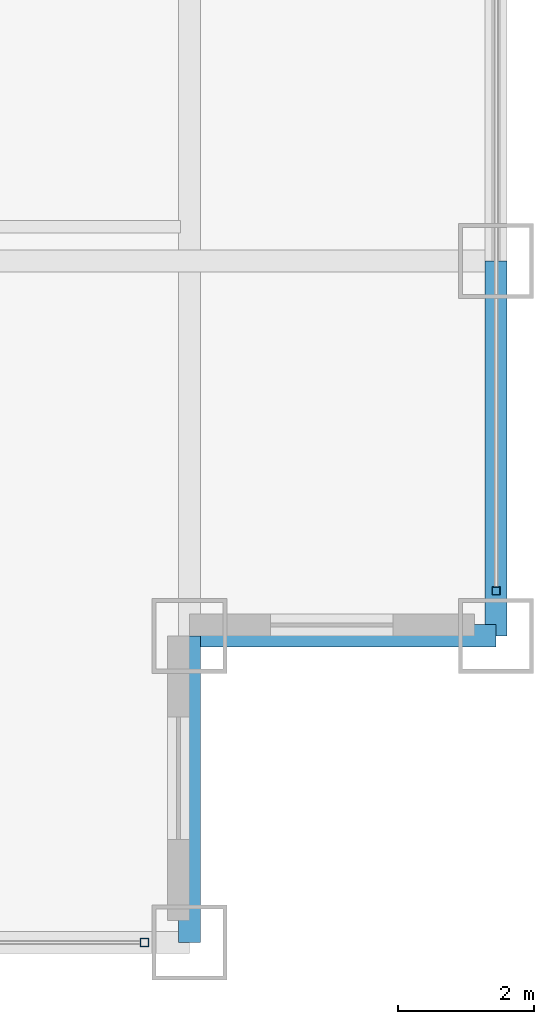
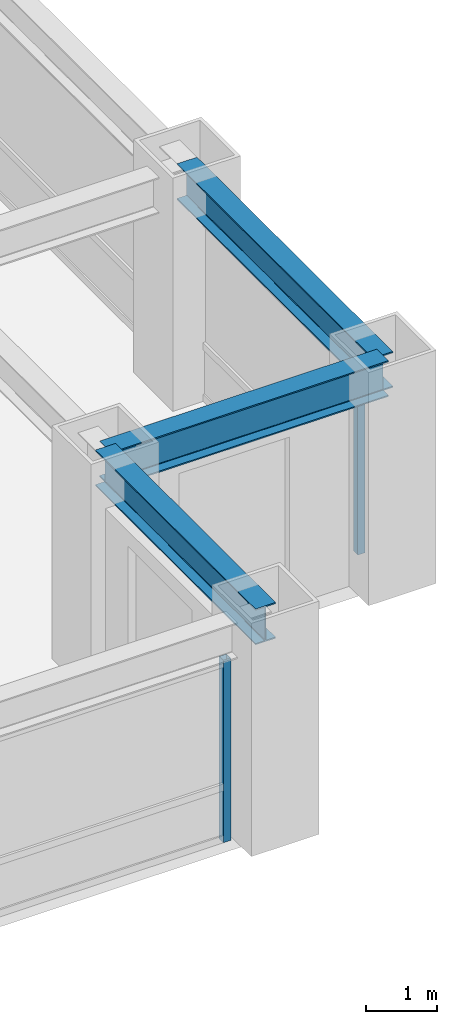
# One storey, part 8 of 24: 3 beams, 2 members, 2 elements without a shape of their own.
"""IFC4 building model written with IfcOpenShell, lengths in metres."""

from ifc_helpers import new_model, si_unit, direction, frame, origin, origin_2d, place, context, subcontext, project, spatial, hollow_rectangle, i_section, extrude, source, transform, mapped, material, material_profile, profile_set, type_object, element, aggregate, save


model = new_model("IFC4")

# Units and contexts
model_context = context("Model", 3, precision=1e-05, world=origin(), true_north=direction((0.0, 1.0)))
body_context = subcontext(model_context, "Body", "Model", "MODEL_VIEW")
ifc_project = project(units=[si_unit("LENGTHUNIT", "METRE"), si_unit("AREAUNIT", "SQUARE_METRE"), si_unit("VOLUMEUNIT", "CUBIC_METRE"), si_unit("PLANEANGLEUNIT", "RADIAN"), si_unit("MASSUNIT", "GRAM", prefix="KILO")], contexts=[model_context])

# Site, building, storey
site_placement = place(None, origin())
site = spatial("IfcSite", under=ifc_project, at=site_placement, CompositionType="ELEMENT")
building_placement = place(site_placement, origin())
building = spatial("IfcBuilding", under=site, at=building_placement, Name="Khorayat Bourse Tower", CompositionType="ELEMENT")
storey_placement = place(building_placement, frame((0.0, 0.0, 159.10009765625)))
storey = spatial("IfcBuildingStorey", under=building, at=storey_placement, Name="L36", CompositionType="ELEMENT", Elevation=159.10009765625)

# Beams
ifc_material_1 = material(Name="Steel ASTM A992 Grade 50", Category="steel")
ifc_material_profile_1 = material_profile(ifc_material_1, i_section(OverallWidth=0.324951171875, OverallDepth=0.615966796875, WebThickness=0.013916015625, FlangeThickness=0.021484375, FilletRadius=0.01611328125, at=origin_2d()), Name="W610X174")
ifc_profile_set_1 = profile_set([ifc_material_profile_1], Name="Steel ASTM A992 Grade 50")
beam_type = type_object("IfcBeamType", Name="BM-SPAN-610", PredefinedType="SPANDREL", material=ifc_profile_set_1)
shared_shape_1 = source(origin(), body_context, "Body", "SweptSolid", [
    extrude(i_section(OverallWidth=0.324951171875, OverallDepth=0.615966796875, WebThickness=0.013916015625, FlangeThickness=0.021484375, FilletRadius=0.01611328125, at=origin_2d()), origin(), (0.0, 0.0, 1.0), 5.5),
])
beam_placement = place(storey_placement, frame((30.0, -25.5, 3.471923828125), z_axis=(0.0, 1.0, 0.0), x_axis=(-1.0, 0.0, 0.0)))
element("IfcBeam", 1, at=beam_placement, inside=storey, type_object=beam_type, Name="L36 BM-SPAN-610 BM-L36-SPN-034", PredefinedType="SPANDREL", context=body_context, shape_type="MappedRepresentation", body=[
    mapped(shared_shape_1, transform((0.0, 0.0, 0.0), scale=1.0)),
])
shared_shape_2 = source(origin(), body_context, "Body", "SweptSolid", [
    extrude(i_section(OverallWidth=0.324951171875, OverallDepth=0.615966796875, WebThickness=0.013916015625, FlangeThickness=0.021484375, FilletRadius=0.01611328125, at=origin_2d()), origin(), (0.0, 0.0, 1.0), 4.5),
])
for number, where, z_axis, x_axis, name in (
    (2, (25.5, -30.0, 3.471923828125), (0.0, 1.0, 0.0), (-1.0, 0.0, 0.0), "L36 BM-SPAN-610 BM-L36-SPN-032"),
    (3, (25.5, -25.5, 3.471923828125), (1.0, 0.0, 0.0), (0.0, 1.0, 0.0), "L36 BM-SPAN-610 BM-L36-SPN-033"),
):
    element("IfcBeam", number, at=place(storey_placement, frame(where, z_axis=z_axis, x_axis=x_axis)), inside=storey, type_object=beam_type, Name=name, PredefinedType="SPANDREL", context=body_context, shape_type="MappedRepresentation", body=[
        mapped(shared_shape_2, transform((0.0, 0.0, 0.0), scale=1.0)),
    ])

# Curtain wall, member
ifc_material_2 = material(Name="Aluminium EN AW-6063 T6", Category="aluminium")
curtain_wall_type = type_object("IfcCurtainWallType", Name="CW-SYS-03", PredefinedType="NOTDEFINED", material=ifc_material_2)
curtain_wall_1_placement = place(storey_placement, origin())
curtain_wall_1 = element("IfcCurtainWall", 4, at=curtain_wall_1_placement, inside=storey, type_object=curtain_wall_type, Name="L36 Curtain Wall CW-L36-S1", PredefinedType="NOTDEFINED")
ifc_material_profile_2 = material_profile(ifc_material_2, hollow_rectangle(XDim=0.1201171875, YDim=0.1201171875, WallThickness=0.0048828125, at=origin_2d()), Name="ALU 120x120x5")
ifc_profile_set_2 = profile_set([ifc_material_profile_2], Name="Aluminium EN AW-6063 T6")
member_type = type_object("IfcMemberType", Name="CWM-VERT-120", PredefinedType="MULLION", material=ifc_profile_set_2)
shared_shape_3 = source(origin(), body_context, "Body", "SweptSolid", [
    extrude(hollow_rectangle(XDim=0.1201171875, YDim=0.1201171875, WallThickness=0.0048828125, at=origin_2d()), origin(), (0.0, 0.0, 1.0), 3.1298828125),
])
member_1_placement = place(storey_placement, frame((24.840087890625, -30.0, 0.0), z_axis=(0.0, 0.0, 1.0), x_axis=(0.0, 1.0, 0.0)))
member_1 = element("IfcMember", 5, at=member_1_placement, type_object=member_type, Name="CW-L36-S1 Vertical Mullion 3", PredefinedType="MULLION", context=body_context, shape_type="MappedRepresentation", body=[
    mapped(shared_shape_3, transform((0.0, 0.0, 0.0), scale=1.0)),
])
aggregate(curtain_wall_1, [member_1])

curtain_wall_2_placement = place(storey_placement, origin())
curtain_wall_2 = element("IfcCurtainWall", 6, at=curtain_wall_2_placement, inside=storey, type_object=curtain_wall_type, Name="L36 Curtain Wall CW-L36-E1", PredefinedType="NOTDEFINED")
member_2_placement = place(storey_placement, frame((30.0, -24.840087890625, 0.0), z_axis=(0.0, 0.0, 1.0), x_axis=(-1.0, 0.0, 0.0)))
member_2 = element("IfcMember", 7, at=member_2_placement, type_object=member_type, Name="CW-L36-E1 Vertical Mullion 1", PredefinedType="MULLION", context=body_context, shape_type="MappedRepresentation", body=[
    mapped(shared_shape_3, transform((0.0, 0.0, 0.0), scale=1.0)),
])
aggregate(curtain_wall_2, [member_2])

save(model, "model.ifc")
